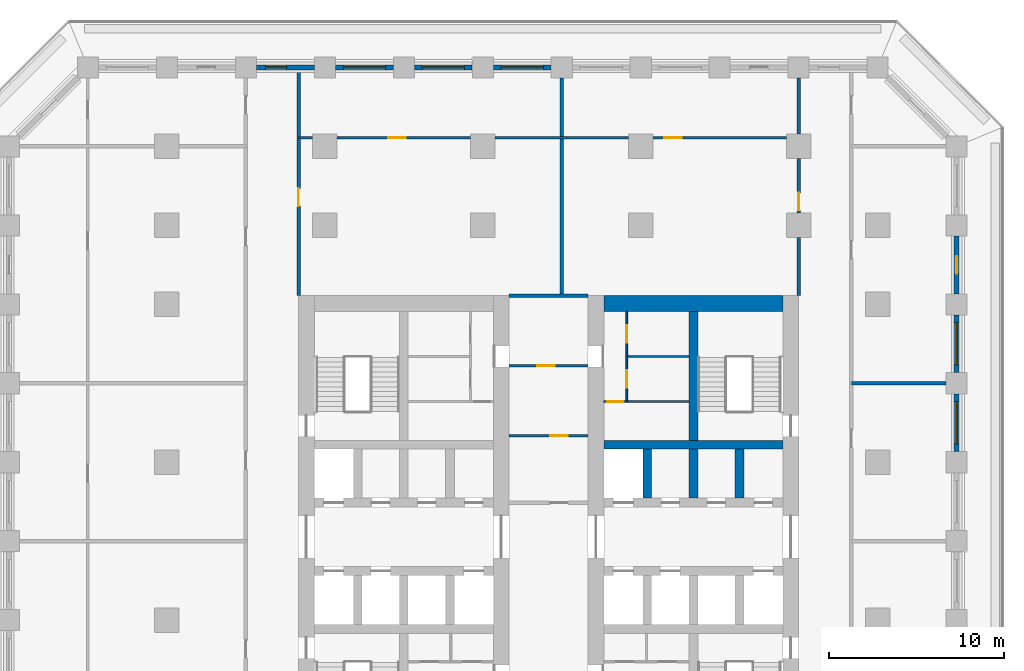
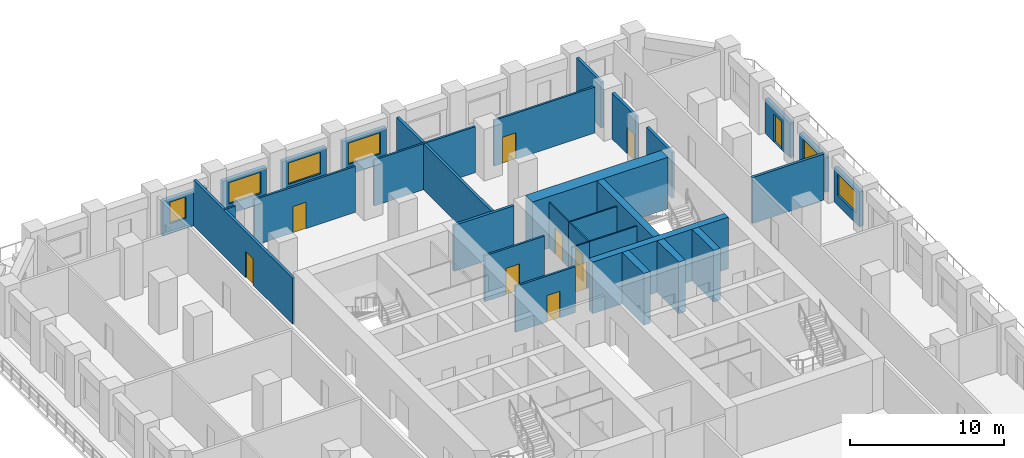
# One storey, part 7 of 16: 31 walls, 10 doors, 6 windows, 16 openings.
"""IFC4 building model written with IfcOpenShell, lengths in metres."""

from ifc_helpers import new_model, si_unit, direction, frame, frame_2d, origin, place, context, subcontext, project, spatial, rectangle, extrude, material, layer, layer_set, type_object, element, fill, save


model = new_model("IFC4")

# Units and contexts
model_context = context("Model", 3, precision=1e-05, world=origin(), true_north=direction((0.0, 1.0)))
body_context = subcontext(model_context, "Body", "Model", "MODEL_VIEW")
ifc_project = project(units=[si_unit("LENGTHUNIT", "METRE"), si_unit("AREAUNIT", "SQUARE_METRE"), si_unit("VOLUMEUNIT", "CUBIC_METRE"), si_unit("PLANEANGLEUNIT", "RADIAN"), si_unit("MASSUNIT", "GRAM", prefix="KILO")], contexts=[model_context])

# Site, building, storey
site_placement = place(None, origin())
site = spatial("IfcSite", under=ifc_project, at=site_placement, CompositionType="ELEMENT")
building_placement = place(site_placement, origin())
building = spatial("IfcBuilding", under=site, at=building_placement, Name="Corbel Stack Research Tower", CompositionType="ELEMENT")
storey_placement = place(building_placement, frame((0.0, 0.0, 137.199951171875)))
storey = spatial("IfcBuildingStorey", under=building, at=storey_placement, Name="L31", CompositionType="ELEMENT", Elevation=137.199951171875)

# Walls
ifc_material_1 = material(Name="Concrete C70/85", Category="concrete")
ifc_layer_1 = layer(ifc_material_1, 0.5)
ifc_layer_set_1 = layer_set([ifc_layer_1], Name="Concrete C70/85")
wall_type_1 = type_object("IfcWallType", Name="CW-500-70", PredefinedType="SHEAR", material=ifc_layer_set_1)
wall_1_placement = place(storey_placement, frame((6.89990234375, 10.0, 0.0), z_axis=(0.0, 0.0, 1.0), x_axis=(1.0, 0.0, 0.0)))
element("IfcWall", 1, at=wall_1_placement, inside=storey, type_object=wall_type_1, Name="East core wall, north row back L31", PredefinedType="SHEAR", context=body_context, shape_type="SweptSolid", body=[
    extrude(rectangle(XDim=10.2001953125, YDim=0.5, at=frame_2d((5.10009765625, 0.0))), origin(), (0.0, 0.0, 1.0), 4.10009765625),
])
for number, where, z_axis, x_axis, name in (
    (2, (9.375, 6.949951171875, 0.0), (0.0, 0.0, 1.0), (0.0, 1.0, 0.0), "East core wall, north shaft 1 L31"),
    (3, (12.0, 6.949951171875, 0.0), (0.0, 0.0, 1.0), (0.0, 1.0, 0.0), "East core wall, north shaft 2 L31"),
    (4, (14.625, 6.949951171875, 0.0), (0.0, 0.0, 1.0), (0.0, 1.0, 0.0), "East core wall, north shaft 3 L31"),
):
    element("IfcWall", number, at=place(storey_placement, frame(where, z_axis=z_axis, x_axis=x_axis)), inside=storey, type_object=wall_type_1, Name=name, PredefinedType="SHEAR", context=body_context, shape_type="SweptSolid", body=[
        extrude(rectangle(XDim=2.800048828125, YDim=0.5, at=frame_2d((1.39990234375, 0.0))), origin(), (0.0, 0.0, 1.0), 4.10009765625),
    ])
wall_2_placement = place(storey_placement, frame((12.0, 10.25, 0.0), z_axis=(0.0, 0.0, 1.0), x_axis=(0.0, 1.0, 0.0)))
element("IfcWall", 5, at=wall_2_placement, inside=storey, type_object=wall_type_1, Name="East core wall, north stair and riser L31", PredefinedType="SHEAR", context=body_context, shape_type="SweptSolid", body=[
    extrude(rectangle(XDim=7.35009765625, YDim=0.5, at=frame_2d((3.675048828125, 0.0))), origin(), (0.0, 0.0, 1.0), 4.10009765625),
])
ifc_material_2 = material(Name="Concrete C70/85", Category="concrete")
ifc_layer_2 = layer(ifc_material_2, 0.89990234375)
ifc_layer_set_2 = layer_set([ifc_layer_2], Name="Concrete C70/85")
wall_type_2 = type_object("IfcWallType", Name="CW-900-70", PredefinedType="SHEAR", material=ifc_layer_set_2)
wall_3_placement = place(storey_placement, frame((6.89990234375, 18.050048828125, 0.0), z_axis=(0.0, 0.0, 1.0), x_axis=(1.0, 0.0, 0.0)))
element("IfcWall", 6, at=wall_3_placement, inside=storey, type_object=wall_type_2, Name="East core wall, north end L31", PredefinedType="SHEAR", context=body_context, shape_type="SweptSolid", body=[
    extrude(rectangle(XDim=10.2001953125, YDim=0.89990234375, at=frame_2d((5.10009765625, 0.0))), origin(), (0.0, 0.0, 1.0), 4.10009765625),
])

# Wall, opening, door
ifc_material_3 = material(Name="Gypsum board")
ifc_layer_3 = layer(ifc_material_3, 0.10009765625)
ifc_layer_set_3 = layer_set([ifc_layer_3], Name="Gypsum board")
wall_type_3 = type_object("IfcWallType", Name="Core partition 100", PredefinedType="PARTITIONING", material=ifc_layer_set_3)
wall_4_placement = place(storey_placement, frame((6.89990234375, 12.455078125, 0.0), z_axis=(0.0, 0.0, 1.0), x_axis=(1.0, 0.0, 0.0)))
wall_4 = element("IfcWall", 7, at=wall_4_placement, inside=storey, type_object=wall_type_3, Name="Core partition E", PredefinedType="PARTITIONING", context=body_context, shape_type="SweptSolid", body=[
    extrude(rectangle(XDim=1.300048828125, YDim=0.10009765625, at=frame_2d((0.64990234375, 0.0))), origin(), (0.0, 0.0, 1.0), 3.650146484375),
])
opening_1_placement = place(wall_4_placement, frame((0.199951171875, 0.0, 0.0)))
opening_1 = element("IfcOpeningElement", 8, at=opening_1_placement, cuts=wall_4, Name="Opening CR-E54-R1-900", PredefinedType="OPENING", context=body_context, shape_type="SweptSolid", body=[
    extrude(rectangle(XDim=0.89990234375, YDim=2.10009765625, at=frame_2d((0.449951171875, 1.050048828125))), frame((0.0, 0.06005859375, 0.0), z_axis=(0.0, -1.0, 0.0), x_axis=(1.0, 0.0, 0.0)), (0.0, 0.0, 1.0), 0.1201171875),
])
ifc_material_4 = material(Name="Painted steel door", Category="steel")
door_type_1 = type_object("IfcDoorType", Name="Riser door 900 x 2100 FD60 right hand", OperationType="SINGLE_SWING_RIGHT", PredefinedType="DOOR", material=ifc_material_4)
door_1_placement = place(opening_1_placement, origin())
door_1 = element("IfcDoor", 9, at=door_1_placement, inside=storey, type_object=door_type_1, Name="Electrical riser door E core", OperationType="SINGLE_SWING_RIGHT", OverallHeight=2.10009765625, OverallWidth=0.89990234375, PredefinedType="DOOR", context=body_context, shape_type="SweptSolid", body=[
    extrude(rectangle(XDim=0.89990234375, YDim=2.10009765625, at=frame_2d((0.449951171875, 1.050048828125))), frame((0.0, 0.02490234375, 0.0), z_axis=(0.0, -1.0, 0.0), x_axis=(1.0, 0.0, 0.0)), (0.0, 0.0, 1.0), 0.050048828125),
])
fill(opening_1, door_1)

# Wall
wall_5_placement = place(storey_placement, frame((8.199951171875, 12.455078125, 0.0), z_axis=(0.0, 0.0, 1.0), x_axis=(1.0, 0.0, 0.0)))
element("IfcWall", 10, at=wall_5_placement, inside=storey, type_object=wall_type_3, Name="Core partition E", PredefinedType="PARTITIONING", context=body_context, shape_type="SweptSolid", body=[
    extrude(rectangle(XDim=3.550048828125, YDim=0.10009765625, at=frame_2d((1.77490234375, 0.0))), origin(), (0.0, 0.0, 1.0), 3.650146484375),
])

# Wall, opening, door
wall_6_placement = place(storey_placement, frame((8.199951171875, 12.455078125, 0.0), z_axis=(0.0, 0.0, 1.0), x_axis=(0.0, 1.0, 0.0)))
wall_6 = element("IfcWall", 11, at=wall_6_placement, inside=storey, type_object=wall_type_3, Name="Core partition E", PredefinedType="PARTITIONING", context=body_context, shape_type="SweptSolid", body=[
    extrude(rectangle(XDim=2.572509765625, YDim=0.10009765625, at=frame_2d((1.2861328125, 0.0))), origin(), (0.0, 0.0, 1.0), 3.650146484375),
])
opening_2_placement = place(wall_6_placement, frame((0.786376953125, 0.0, 0.0)))
opening_2 = element("IfcOpeningElement", 12, at=opening_2_placement, cuts=wall_6, Name="Opening CR-E54-R3-1000", PredefinedType="OPENING", context=body_context, shape_type="SweptSolid", body=[
    extrude(rectangle(XDim=1.0, YDim=2.10009765625, at=frame_2d((0.5, 1.050048828125))), frame((0.0, 0.06005859375, 0.0), z_axis=(0.0, -1.0, 0.0), x_axis=(1.0, 0.0, 0.0)), (0.0, 0.0, 1.0), 0.1201171875),
])
ifc_material_5 = material(Name="Painted steel door", Category="steel")
door_type_2 = type_object("IfcDoorType", Name="Service door 1000 x 2100 FD30 right hand", OperationType="SINGLE_SWING_RIGHT", PredefinedType="DOOR", material=ifc_material_5)
door_2_placement = place(opening_2_placement, origin())
door_2 = element("IfcDoor", 13, at=door_2_placement, inside=storey, type_object=door_type_2, Name="Pantry door E core", OperationType="SINGLE_SWING_RIGHT", OverallHeight=2.10009765625, OverallWidth=1.0, PredefinedType="DOOR", context=body_context, shape_type="SweptSolid", body=[
    extrude(rectangle(XDim=1.0, YDim=2.10009765625, at=frame_2d((0.5, 1.050048828125))), frame((0.0, 0.02490234375, 0.0), z_axis=(0.0, -1.0, 0.0), x_axis=(1.0, 0.0, 0.0)), (0.0, 0.0, 1.0), 0.050048828125),
])
fill(opening_2, door_2)

wall_7_placement = place(storey_placement, frame((8.199951171875, 15.027587890625, 0.0), z_axis=(0.0, 0.0, 1.0), x_axis=(0.0, 1.0, 0.0)))
wall_7 = element("IfcWall", 14, at=wall_7_placement, inside=storey, type_object=wall_type_3, Name="Core partition E", PredefinedType="PARTITIONING", context=body_context, shape_type="SweptSolid", body=[
    extrude(rectangle(XDim=2.572509765625, YDim=0.10009765625, at=frame_2d((1.2861328125, 0.0))), origin(), (0.0, 0.0, 1.0), 3.650146484375),
])
opening_3_placement = place(wall_7_placement, frame((0.7861328125, 0.0, 0.0)))
opening_3 = element("IfcOpeningElement", 15, at=opening_3_placement, cuts=wall_7, Name="Opening CR-E54-R4-1000", PredefinedType="OPENING", context=body_context, shape_type="SweptSolid", body=[
    extrude(rectangle(XDim=1.0, YDim=2.10009765625, at=frame_2d((0.5, 1.050048828125))), frame((0.0, 0.06005859375, 0.0), z_axis=(0.0, -1.0, 0.0), x_axis=(1.0, 0.0, 0.0)), (0.0, 0.0, 1.0), 0.1201171875),
])
ifc_material_6 = material(Name="Painted steel door", Category="steel")
door_type_3 = type_object("IfcDoorType", Name="Service door 1000 x 2100 FD30 left hand", OperationType="SINGLE_SWING_LEFT", PredefinedType="DOOR", material=ifc_material_6)
door_3_placement = place(opening_3_placement, origin())
door_3 = element("IfcDoor", 16, at=door_3_placement, inside=storey, type_object=door_type_3, Name="Copy and supply store door E core", OperationType="SINGLE_SWING_LEFT", OverallHeight=2.10009765625, OverallWidth=1.0, PredefinedType="DOOR", context=body_context, shape_type="SweptSolid", body=[
    extrude(rectangle(XDim=1.0, YDim=2.10009765625, at=frame_2d((0.5, 1.050048828125))), frame((0.0, 0.02490234375, 0.0), z_axis=(0.0, -1.0, 0.0), x_axis=(1.0, 0.0, 0.0)), (0.0, 0.0, 1.0), 0.050048828125),
])
fill(opening_3, door_3)

# Wall
wall_8_placement = place(storey_placement, frame((8.199951171875, 15.027587890625, 0.0), z_axis=(0.0, 0.0, 1.0), x_axis=(1.0, 0.0, 0.0)))
element("IfcWall", 17, at=wall_8_placement, inside=storey, type_object=wall_type_3, Name="Core partition E", PredefinedType="PARTITIONING", context=body_context, shape_type="SweptSolid", body=[
    extrude(rectangle(XDim=3.550048828125, YDim=0.10009765625, at=frame_2d((1.77490234375, 0.0))), origin(), (0.0, 0.0, 1.0), 3.650146484375),
])

# Wall, opening, door
ifc_material_7 = material(Name="Fire-rated gypsum board partition on steel studs", Category="steel")
ifc_layer_4 = layer(ifc_material_7, 0.199951171875)
ifc_layer_set_4 = layer_set([ifc_layer_4], Name="Fire-rated gypsum board partition on steel studs")
wall_type_4 = type_object("IfcWallType", Name="Fire-rated partition 200 EI 60", PredefinedType="PARTITIONING", material=ifc_layer_set_4)
wall_9_placement = place(storey_placement, frame((-10.5, 31.35009765625, 0.0), z_axis=(0.0, 0.0, 1.0), x_axis=(0.0, -1.0, 0.0)))
wall_9 = element("IfcWall", 18, at=wall_9_placement, inside=storey, type_object=wall_type_4, Name="Partition L31-004", PredefinedType="PARTITIONING", context=body_context, shape_type="SweptSolid", body=[
    extrude(rectangle(XDim=12.85009765625, YDim=0.199951171875, at=frame_2d((6.425048828125, 0.0))), origin(), (0.0, 0.0, 1.0), 3.650146484375),
])
opening_4_placement = place(wall_9_placement, frame((6.75, 0.0, 0.0)))
opening_4 = element("IfcOpeningElement", 19, at=opening_4_placement, cuts=wall_9, Name="Opening B4V2-014", PredefinedType="OPENING", context=body_context, shape_type="SweptSolid", body=[
    extrude(rectangle(XDim=1.0, YDim=2.10009765625, at=frame_2d((0.5, 1.050048828125))), frame((0.0, 0.10986328125, 0.0), z_axis=(0.0, -1.0, 0.0), x_axis=(1.0, 0.0, 0.0)), (0.0, 0.0, 1.0), 0.219970703125),
])
ifc_material_8 = material(Name="Painted steel fire door", Category="steel")
door_type_4 = type_object("IfcDoorType", Name="Fire door FD30S 1000 x 2100", OperationType="NOTDEFINED", PredefinedType="DOOR", material=ifc_material_8)
door_4_placement = place(opening_4_placement, origin())
door_4 = element("IfcDoor", 20, at=door_4_placement, inside=storey, type_object=door_type_4, Name="Door B4V2-014", OperationType="SINGLE_SWING_RIGHT", OverallHeight=2.10009765625, OverallWidth=1.0, PredefinedType="DOOR", context=body_context, shape_type="SweptSolid", body=[
    extrude(rectangle(XDim=1.0, YDim=2.10009765625, at=frame_2d((0.5, 1.050048828125))), frame((0.0, 0.02490234375, 0.0), z_axis=(0.0, -1.0, 0.0), x_axis=(1.0, 0.0, 0.0)), (0.0, 0.0, 1.0), 0.050048828125),
])
fill(opening_4, door_4)

# Walls
wall_10_placement = place(storey_placement, frame((4.5, 18.5, 0.0), z_axis=(0.0, 0.0, 1.0), x_axis=(0.0, 1.0, 0.0)))
element("IfcWall", 21, at=wall_10_placement, inside=storey, type_object=wall_type_4, Name="Partition L31-006", PredefinedType="PARTITIONING", context=body_context, shape_type="SweptSolid", body=[
    extrude(rectangle(XDim=12.39990234375, YDim=0.199951171875, at=frame_2d((6.199951171875, 0.0))), origin(), (0.0, 0.0, 1.0), 3.650146484375),
])
wall_11_placement = place(storey_placement, frame((18.0, 18.5, 0.0), z_axis=(0.0, 0.0, 1.0), x_axis=(0.0, 1.0, 0.0)))
element("IfcWall", 22, at=wall_11_placement, inside=storey, type_object=wall_type_4, Name="Partition L31-009", PredefinedType="PARTITIONING", context=body_context, shape_type="SweptSolid", body=[
    extrude(rectangle(XDim=3.300048828125, YDim=0.199951171875, at=frame_2d((1.64990234375, 0.0))), origin(), (0.0, 0.0, 1.0), 3.650146484375),
])

# Wall, opening, door
wall_12_placement = place(storey_placement, frame((18.0, 23.199951171875, 0.0), z_axis=(0.0, 0.0, 1.0), x_axis=(0.0, 1.0, 0.0)))
wall_12 = element("IfcWall", 23, at=wall_12_placement, inside=storey, type_object=wall_type_4, Name="Partition L31-010", PredefinedType="PARTITIONING", context=body_context, shape_type="SweptSolid", body=[
    extrude(rectangle(XDim=3.10009765625, YDim=0.199951171875, at=frame_2d((1.550048828125, 0.0))), origin(), (0.0, 0.0, 1.0), 3.650146484375),
])
opening_5_placement = place(wall_12_placement, frame((0.14990234375, 0.0, 0.0)))
opening_5 = element("IfcOpeningElement", 24, at=opening_5_placement, cuts=wall_12, Name="Opening B4V2-020", PredefinedType="OPENING", context=body_context, shape_type="SweptSolid", body=[
    extrude(rectangle(XDim=1.0, YDim=2.10009765625, at=frame_2d((0.5, 1.050048828125))), frame((0.0, 0.10986328125, 0.0), z_axis=(0.0, -1.0, 0.0), x_axis=(1.0, 0.0, 0.0)), (0.0, 0.0, 1.0), 0.219970703125),
])
door_5_placement = place(opening_5_placement, origin())
door_5 = element("IfcDoor", 25, at=door_5_placement, inside=storey, type_object=door_type_4, Name="Door B4V2-020", OperationType="SINGLE_SWING_LEFT", OverallHeight=2.10009765625, OverallWidth=1.0, PredefinedType="DOOR", context=body_context, shape_type="SweptSolid", body=[
    extrude(rectangle(XDim=1.0, YDim=2.10009765625, at=frame_2d((0.5, 1.050048828125))), frame((0.0, 0.02490234375, 0.0), z_axis=(0.0, -1.0, 0.0), x_axis=(1.0, 0.0, 0.0)), (0.0, 0.0, 1.0), 0.050048828125),
])
fill(opening_5, door_5)

# Walls
wall_13_placement = place(storey_placement, frame((18.0, 27.699951171875, 0.0), z_axis=(0.0, 0.0, 1.0), x_axis=(0.0, 1.0, 0.0)))
element("IfcWall", 26, at=wall_13_placement, inside=storey, type_object=wall_type_4, Name="Partition L31-011", PredefinedType="PARTITIONING", context=body_context, shape_type="SweptSolid", body=[
    extrude(rectangle(XDim=3.199951171875, YDim=0.199951171875, at=frame_2d((1.60009765625, 0.0))), origin(), (0.0, 0.0, 1.0), 3.650146484375),
])
wall_14_placement = place(storey_placement, frame((21.0, 13.5, 0.0), z_axis=(0.0, 0.0, 1.0), x_axis=(1.0, 0.0, 0.0)))
element("IfcWall", 27, at=wall_14_placement, inside=storey, type_object=wall_type_4, Name="Partition L31-028", PredefinedType="PARTITIONING", context=body_context, shape_type="SweptSolid", body=[
    extrude(rectangle(XDim=5.39990234375, YDim=0.199951171875, at=frame_2d((2.699951171875, 0.0))), origin(), (0.0, 0.0, 1.0), 3.650146484375),
])
wall_15_placement = place(storey_placement, frame((1.5, 18.5, 0.0), z_axis=(0.0, 0.0, 1.0), x_axis=(1.0, 0.0, 0.0)))
element("IfcWall", 28, at=wall_15_placement, inside=storey, type_object=wall_type_4, Name="Partition L31-030", PredefinedType="PARTITIONING", context=body_context, shape_type="SweptSolid", body=[
    extrude(rectangle(XDim=4.5, YDim=0.199951171875, at=frame_2d((2.25, 0.0))), origin(), (0.0, 0.0, 1.0), 3.650146484375),
])

# Wall, opening, door
ifc_material_9 = material(Name="Gypsum board partition on steel studs", Category="steel")
ifc_layer_5 = layer(ifc_material_9, 0.14990234375)
ifc_layer_set_5 = layer_set([ifc_layer_5], Name="Gypsum board partition on steel studs")
wall_type_5 = type_object("IfcWallType", Name="Partition 150", PredefinedType="PARTITIONING", material=ifc_layer_set_5)
wall_16_placement = place(storey_placement, frame((1.5, 10.5, 0.0), z_axis=(0.0, 0.0, 1.0), x_axis=(1.0, 0.0, 0.0)))
wall_16 = element("IfcWall", 29, at=wall_16_placement, inside=storey, type_object=wall_type_5, Name="Partition L31-026", PredefinedType="PARTITIONING", context=body_context, shape_type="SweptSolid", body=[
    extrude(rectangle(XDim=4.5, YDim=0.14990234375, at=frame_2d((2.25, 0.0))), origin(), (0.0, 0.0, 1.0), 3.650146484375),
])
opening_6_placement = place(wall_16_placement, frame((2.35009765625, 0.0, 0.0)))
opening_6 = element("IfcOpeningElement", 30, at=opening_6_placement, cuts=wall_16, Name="Opening B4V2-017", PredefinedType="OPENING", context=body_context, shape_type="SweptSolid", body=[
    extrude(rectangle(XDim=1.0, YDim=2.10009765625, at=frame_2d((0.5, 1.050048828125))), frame((0.0, 0.0849609375, 0.0), z_axis=(0.0, -1.0, 0.0), x_axis=(1.0, 0.0, 0.0)), (0.0, 0.0, 1.0), 0.169921875),
])
ifc_material_10 = material(Name="Painted timber door", Category="wood")
door_type_5 = type_object("IfcDoorType", Name="Single door 1000 x 2100", OperationType="NOTDEFINED", PredefinedType="DOOR", material=ifc_material_10)
door_6_placement = place(opening_6_placement, origin())
door_6 = element("IfcDoor", 31, at=door_6_placement, inside=storey, type_object=door_type_5, Name="Door B4V2-017", OperationType="SINGLE_SWING_RIGHT", OverallHeight=2.10009765625, OverallWidth=1.0, PredefinedType="DOOR", context=body_context, shape_type="SweptSolid", body=[
    extrude(rectangle(XDim=1.0, YDim=2.10009765625, at=frame_2d((0.5, 1.050048828125))), frame((0.0, 0.02490234375, 0.0), z_axis=(0.0, -1.0, 0.0), x_axis=(1.0, 0.0, 0.0)), (0.0, 0.0, 1.0), 0.050048828125),
])
fill(opening_6, door_6)

wall_17_placement = place(storey_placement, frame((1.5, 14.5, 0.0), z_axis=(0.0, 0.0, 1.0), x_axis=(1.0, 0.0, 0.0)))
wall_17 = element("IfcWall", 32, at=wall_17_placement, inside=storey, type_object=wall_type_5, Name="Partition L31-029", PredefinedType="PARTITIONING", context=body_context, shape_type="SweptSolid", body=[
    extrude(rectangle(XDim=4.5, YDim=0.14990234375, at=frame_2d((2.25, 0.0))), origin(), (0.0, 0.0, 1.0), 3.650146484375),
])
opening_7_placement = place(wall_17_placement, frame((1.60009765625, 0.0, 0.0)))
opening_7 = element("IfcOpeningElement", 33, at=opening_7_placement, cuts=wall_17, Name="Opening B4V2-018", PredefinedType="OPENING", context=body_context, shape_type="SweptSolid", body=[
    extrude(rectangle(XDim=1.0, YDim=2.10009765625, at=frame_2d((0.5, 1.050048828125))), frame((0.0, 0.0849609375, 0.0), z_axis=(0.0, -1.0, 0.0), x_axis=(1.0, 0.0, 0.0)), (0.0, 0.0, 1.0), 0.169921875),
])
door_7_placement = place(opening_7_placement, origin())
door_7 = element("IfcDoor", 34, at=door_7_placement, inside=storey, type_object=door_type_5, Name="Door B4V2-018", OperationType="SINGLE_SWING_LEFT", OverallHeight=2.10009765625, OverallWidth=1.0, PredefinedType="DOOR", context=body_context, shape_type="SweptSolid", body=[
    extrude(rectangle(XDim=1.0, YDim=2.10009765625, at=frame_2d((0.5, 1.050048828125))), frame((0.0, 0.02490234375, 0.0), z_axis=(0.0, -1.0, 0.0), x_axis=(1.0, 0.0, 0.0)), (0.0, 0.0, 1.0), 0.050048828125),
])
fill(opening_7, door_7)

# Wall
wall_18_placement = place(storey_placement, frame((-10.5, 27.5, 0.0), z_axis=(0.0, 0.0, 1.0), x_axis=(1.0, 0.0, 0.0)))
element("IfcWall", 35, at=wall_18_placement, inside=storey, type_object=wall_type_5, Name="Partition L31-034", PredefinedType="PARTITIONING", context=body_context, shape_type="SweptSolid", body=[
    extrude(rectangle(XDim=0.800048828125, YDim=0.14990234375, at=frame_2d((0.39990234375, 0.0))), origin(), (0.0, 0.0, 1.0), 3.650146484375),
])

# Wall, opening, door
wall_19_placement = place(storey_placement, frame((-8.300048828125, 27.5, 0.0), z_axis=(0.0, 0.0, 1.0), x_axis=(1.0, 0.0, 0.0)))
wall_19 = element("IfcWall", 36, at=wall_19_placement, inside=storey, type_object=wall_type_5, Name="Partition L31-035", PredefinedType="PARTITIONING", context=body_context, shape_type="SweptSolid", body=[
    extrude(rectangle(XDim=7.60009765625, YDim=0.14990234375, at=frame_2d((3.800048828125, 0.0))), origin(), (0.0, 0.0, 1.0), 3.650146484375),
])
opening_8_placement = place(wall_19_placement, frame((2.89990234375, 0.0, 0.0)))
opening_8 = element("IfcOpeningElement", 37, at=opening_8_placement, cuts=wall_19, Name="Opening B4V2-026", PredefinedType="OPENING", context=body_context, shape_type="SweptSolid", body=[
    extrude(rectangle(XDim=1.0, YDim=2.10009765625, at=frame_2d((0.5, 1.050048828125))), frame((0.0, 0.0849609375, 0.0), z_axis=(0.0, -1.0, 0.0), x_axis=(1.0, 0.0, 0.0)), (0.0, 0.0, 1.0), 0.169921875),
])
door_8_placement = place(opening_8_placement, origin())
door_8 = element("IfcDoor", 38, at=door_8_placement, inside=storey, type_object=door_type_5, Name="Door B4V2-026", OperationType="SINGLE_SWING_LEFT", OverallHeight=2.10009765625, OverallWidth=1.0, PredefinedType="DOOR", context=body_context, shape_type="SweptSolid", body=[
    extrude(rectangle(XDim=1.0, YDim=2.10009765625, at=frame_2d((0.5, 1.050048828125))), frame((0.0, 0.02490234375, 0.0), z_axis=(0.0, -1.0, 0.0), x_axis=(1.0, 0.0, 0.0)), (0.0, 0.0, 1.0), 0.050048828125),
])
fill(opening_8, door_8)

# Wall
wall_20_placement = place(storey_placement, frame((0.699951171875, 27.5, 0.0), z_axis=(0.0, 0.0, 1.0), x_axis=(1.0, 0.0, 0.0)))
element("IfcWall", 39, at=wall_20_placement, inside=storey, type_object=wall_type_5, Name="Partition L31-036", PredefinedType="PARTITIONING", context=body_context, shape_type="SweptSolid", body=[
    extrude(rectangle(XDim=7.60009765625, YDim=0.14990234375, at=frame_2d((3.800048828125, 0.0))), origin(), (0.0, 0.0, 1.0), 3.650146484375),
])

# Wall, opening, door
wall_21_placement = place(storey_placement, frame((9.699951171875, 27.5, 0.0), z_axis=(0.0, 0.0, 1.0), x_axis=(1.0, 0.0, 0.0)))
wall_21 = element("IfcWall", 40, at=wall_21_placement, inside=storey, type_object=wall_type_5, Name="Partition L31-037", PredefinedType="PARTITIONING", context=body_context, shape_type="SweptSolid", body=[
    extrude(rectangle(XDim=7.60009765625, YDim=0.14990234375, at=frame_2d((3.800048828125, 0.0))), origin(), (0.0, 0.0, 1.0), 3.650146484375),
])
opening_9_placement = place(wall_21_placement, frame((0.64990234375, 0.0, 0.0)))
opening_9 = element("IfcOpeningElement", 41, at=opening_9_placement, cuts=wall_21, Name="Opening B4V2-027", PredefinedType="OPENING", context=body_context, shape_type="SweptSolid", body=[
    extrude(rectangle(XDim=1.0, YDim=2.10009765625, at=frame_2d((0.5, 1.050048828125))), frame((0.0, 0.0849609375, 0.0), z_axis=(0.0, -1.0, 0.0), x_axis=(1.0, 0.0, 0.0)), (0.0, 0.0, 1.0), 0.169921875),
])
door_9_placement = place(opening_9_placement, origin())
door_9 = element("IfcDoor", 42, at=door_9_placement, inside=storey, type_object=door_type_5, Name="Door B4V2-027", OperationType="SINGLE_SWING_LEFT", OverallHeight=2.10009765625, OverallWidth=1.0, PredefinedType="DOOR", context=body_context, shape_type="SweptSolid", body=[
    extrude(rectangle(XDim=1.0, YDim=2.10009765625, at=frame_2d((0.5, 1.050048828125))), frame((0.0, 0.02490234375, 0.0), z_axis=(0.0, -1.0, 0.0), x_axis=(1.0, 0.0, 0.0)), (0.0, 0.0, 1.0), 0.050048828125),
])
fill(opening_9, door_9)

# Wall, opening, window
ifc_material_11 = material(Name="Concrete C45/55", Category="concrete")
ifc_layer_6 = layer(ifc_material_11, 0.300048828125)
ifc_layer_set_6 = layer_set([ifc_layer_6], Name="Concrete C45/55")
wall_type_6 = type_object("IfcWallType", Name="Terracotta-faced concrete wall 300", PredefinedType="SOLIDWALL", material=ifc_layer_set_6)
wall_22_placement = place(storey_placement, frame((27.0, 12.89990234375, 0.0), z_axis=(0.0, 0.0, 1.0), x_axis=(0.0, -1.0, 0.0)))
wall_22 = element("IfcWall", 43, at=wall_22_placement, inside=storey, type_object=wall_type_6, Name="Facade wall L31 E07", PredefinedType="SOLIDWALL", context=body_context, shape_type="SweptSolid", body=[
    extrude(rectangle(XDim=3.2998046875, YDim=0.300048828125, at=frame_2d((1.64990234375, 0.0))), origin(), (0.0, 0.0, 1.0), 2.75),
])
opening_10_placement = place(wall_22_placement, frame((0.449951171875, 0.0, 0.800048828125)))
opening_10 = element("IfcOpeningElement", 44, at=opening_10_placement, cuts=wall_22, Name="Opening W1", PredefinedType="OPENING", context=body_context, shape_type="SweptSolid", body=[
    extrude(rectangle(XDim=2.39990234375, YDim=1.699951171875, at=frame_2d((1.199951171875, 0.85009765625))), frame((0.0, 0.159912109375, 0.0), z_axis=(0.0, -1.0, 0.0), x_axis=(1.0, 0.0, 0.0)), (0.0, 0.0, 1.0), 0.320068359375),
])
ifc_material_12 = material(Name="Aluminium frame, clear double glazing", Category="aluminium")
window_type_1 = type_object("IfcWindowType", Name="Window W1 2400 x 1700", PartitioningType="SINGLE_PANEL", PredefinedType="WINDOW", material=ifc_material_12)
window_1_placement = place(opening_10_placement, origin())
window_1 = element("IfcWindow", 45, at=window_1_placement, inside=storey, type_object=window_type_1, Name="Window W1 L31 E07", OverallHeight=1.699951171875, OverallWidth=2.39990234375, PartitioningType="SINGLE_PANEL", PredefinedType="WINDOW", context=body_context, shape_type="SweptSolid", body=[
    extrude(rectangle(XDim=2.39990234375, YDim=1.699951171875, at=frame_2d((1.199951171875, 0.85009765625))), frame((0.0, 0.030029296875, 0.0), z_axis=(0.0, -1.0, 0.0), x_axis=(1.0, 0.0, 0.0)), (0.0, 0.0, 1.0), 0.06005859375),
])
fill(opening_10, window_1)

wall_23_placement = place(storey_placement, frame((27.0, 17.39990234375, 0.0), z_axis=(0.0, 0.0, 1.0), x_axis=(0.0, -1.0, 0.0)))
wall_23 = element("IfcWall", 46, at=wall_23_placement, inside=storey, type_object=wall_type_6, Name="Facade wall L31 E08", PredefinedType="SOLIDWALL", context=body_context, shape_type="SweptSolid", body=[
    extrude(rectangle(XDim=3.2998046875, YDim=0.300048828125, at=frame_2d((1.64990234375, 0.0))), origin(), (0.0, 0.0, 1.0), 2.75),
])
opening_11_placement = place(wall_23_placement, frame((0.449951171875, 0.0, 0.800048828125)))
opening_11 = element("IfcOpeningElement", 47, at=opening_11_placement, cuts=wall_23, Name="Opening W1", PredefinedType="OPENING", context=body_context, shape_type="SweptSolid", body=[
    extrude(rectangle(XDim=2.39990234375, YDim=1.699951171875, at=frame_2d((1.199951171875, 0.85009765625))), frame((0.0, 0.159912109375, 0.0), z_axis=(0.0, -1.0, 0.0), x_axis=(1.0, 0.0, 0.0)), (0.0, 0.0, 1.0), 0.320068359375),
])
window_2_placement = place(opening_11_placement, origin())
window_2 = element("IfcWindow", 48, at=window_2_placement, inside=storey, type_object=window_type_1, Name="Window W1 L31 E08", OverallHeight=1.699951171875, OverallWidth=2.39990234375, PartitioningType="SINGLE_PANEL", PredefinedType="WINDOW", context=body_context, shape_type="SweptSolid", body=[
    extrude(rectangle(XDim=2.39990234375, YDim=1.699951171875, at=frame_2d((1.199951171875, 0.85009765625))), frame((0.0, 0.030029296875, 0.0), z_axis=(0.0, -1.0, 0.0), x_axis=(1.0, 0.0, 0.0)), (0.0, 0.0, 1.0), 0.06005859375),
])
fill(opening_11, window_2)

# Wall, opening, door
wall_24_placement = place(storey_placement, frame((27.0, 21.89990234375, 0.0), z_axis=(0.0, 0.0, 1.0), x_axis=(0.0, -1.0, 0.0)))
wall_24 = element("IfcWall", 49, at=wall_24_placement, inside=storey, type_object=wall_type_6, Name="Facade wall L31 E09", PredefinedType="SOLIDWALL", context=body_context, shape_type="SweptSolid", body=[
    extrude(rectangle(XDim=3.2998046875, YDim=0.300048828125, at=frame_2d((1.64990234375, 0.0))), origin(), (0.0, 0.0, 1.0), 2.75),
])
opening_12_placement = place(wall_24_placement, frame((1.14990234375, 0.0, 0.0)))
opening_12 = element("IfcOpeningElement", 50, at=opening_12_placement, cuts=wall_24, Name="Opening L31-B05", PredefinedType="OPENING", context=body_context, shape_type="SweptSolid", body=[
    extrude(rectangle(XDim=1.0, YDim=2.199951171875, at=frame_2d((0.5, 1.10009765625))), frame((0.0, 0.159912109375, 0.0), z_axis=(0.0, -1.0, 0.0), x_axis=(1.0, 0.0, 0.0)), (0.0, 0.0, 1.0), 0.320068359375),
])
ifc_material_13 = material(Name="Aluminium frame, clear double glazing", Category="aluminium")
door_type_6 = type_object("IfcDoorType", Name="Balcony door BD1 1000 x 2200", OperationType="NOTDEFINED", PredefinedType="DOOR", material=ifc_material_13)
door_10_placement = place(opening_12_placement, origin())
door_10 = element("IfcDoor", 51, at=door_10_placement, inside=storey, type_object=door_type_6, Name="Balcony door L31-B05", OperationType="SINGLE_SWING_RIGHT", OverallHeight=2.199951171875, OverallWidth=1.0, PredefinedType="DOOR", context=body_context, shape_type="SweptSolid", body=[
    extrude(rectangle(XDim=1.0, YDim=2.199951171875, at=frame_2d((0.5, 1.10009765625))), frame((0.0, 0.02490234375, 0.0), z_axis=(0.0, -1.0, 0.0), x_axis=(1.0, 0.0, 0.0)), (0.0, 0.0, 1.0), 0.050048828125),
])
fill(opening_12, door_10)

# Wall, opening, window
wall_25_placement = place(storey_placement, frame((0.60009765625, 31.5, 0.0), z_axis=(0.0, 0.0, 1.0), x_axis=(1.0, 0.0, 0.0)))
wall_25 = element("IfcWall", 52, at=wall_25_placement, inside=storey, type_object=wall_type_6, Name="Facade wall L31 N05", PredefinedType="SOLIDWALL", context=body_context, shape_type="SweptSolid", body=[
    extrude(rectangle(XDim=3.2998046875, YDim=0.300048828125, at=frame_2d((1.64990234375, 0.0))), origin(), (0.0, 0.0, 1.0), 2.75),
])
opening_13_placement = place(wall_25_placement, frame((0.449951171875, 0.0, 0.800048828125)))
opening_13 = element("IfcOpeningElement", 53, at=opening_13_placement, cuts=wall_25, Name="Opening W1", PredefinedType="OPENING", context=body_context, shape_type="SweptSolid", body=[
    extrude(rectangle(XDim=2.39990234375, YDim=1.699951171875, at=frame_2d((1.199951171875, 0.85009765625))), frame((0.0, 0.159912109375, 0.0), z_axis=(0.0, -1.0, 0.0), x_axis=(1.0, 0.0, 0.0)), (0.0, 0.0, 1.0), 0.320068359375),
])
window_3_placement = place(opening_13_placement, origin())
window_3 = element("IfcWindow", 54, at=window_3_placement, inside=storey, type_object=window_type_1, Name="Window W1 L31 N05", OverallHeight=1.699951171875, OverallWidth=2.39990234375, PartitioningType="SINGLE_PANEL", PredefinedType="WINDOW", context=body_context, shape_type="SweptSolid", body=[
    extrude(rectangle(XDim=2.39990234375, YDim=1.699951171875, at=frame_2d((1.199951171875, 0.85009765625))), frame((0.0, 0.030029296875, 0.0), z_axis=(0.0, -1.0, 0.0), x_axis=(1.0, 0.0, 0.0)), (0.0, 0.0, 1.0), 0.06005859375),
])
fill(opening_13, window_3)

wall_26_placement = place(storey_placement, frame((-3.89990234375, 31.5, 0.0), z_axis=(0.0, 0.0, 1.0), x_axis=(1.0, 0.0, 0.0)))
wall_26 = element("IfcWall", 55, at=wall_26_placement, inside=storey, type_object=wall_type_6, Name="Facade wall L31 N06", PredefinedType="SOLIDWALL", context=body_context, shape_type="SweptSolid", body=[
    extrude(rectangle(XDim=3.2998046875, YDim=0.300048828125, at=frame_2d((1.64990234375, 0.0))), origin(), (0.0, 0.0, 1.0), 2.75),
])
opening_14_placement = place(wall_26_placement, frame((0.449951171875, 0.0, 0.800048828125)))
opening_14 = element("IfcOpeningElement", 56, at=opening_14_placement, cuts=wall_26, Name="Opening W1", PredefinedType="OPENING", context=body_context, shape_type="SweptSolid", body=[
    extrude(rectangle(XDim=2.39990234375, YDim=1.699951171875, at=frame_2d((1.199951171875, 0.85009765625))), frame((0.0, 0.159912109375, 0.0), z_axis=(0.0, -1.0, 0.0), x_axis=(1.0, 0.0, 0.0)), (0.0, 0.0, 1.0), 0.320068359375),
])
window_4_placement = place(opening_14_placement, origin())
window_4 = element("IfcWindow", 57, at=window_4_placement, inside=storey, type_object=window_type_1, Name="Window W1 L31 N06", OverallHeight=1.699951171875, OverallWidth=2.39990234375, PartitioningType="SINGLE_PANEL", PredefinedType="WINDOW", context=body_context, shape_type="SweptSolid", body=[
    extrude(rectangle(XDim=2.39990234375, YDim=1.699951171875, at=frame_2d((1.199951171875, 0.85009765625))), frame((0.0, 0.030029296875, 0.0), z_axis=(0.0, -1.0, 0.0), x_axis=(1.0, 0.0, 0.0)), (0.0, 0.0, 1.0), 0.06005859375),
])
fill(opening_14, window_4)

wall_27_placement = place(storey_placement, frame((-8.39990234375, 31.5, 0.0), z_axis=(0.0, 0.0, 1.0), x_axis=(1.0, 0.0, 0.0)))
wall_27 = element("IfcWall", 58, at=wall_27_placement, inside=storey, type_object=wall_type_6, Name="Facade wall L31 N07", PredefinedType="SOLIDWALL", context=body_context, shape_type="SweptSolid", body=[
    extrude(rectangle(XDim=3.2998046875, YDim=0.300048828125, at=frame_2d((1.64990234375, 0.0))), origin(), (0.0, 0.0, 1.0), 2.75),
])
opening_15_placement = place(wall_27_placement, frame((0.449951171875, 0.0, 0.800048828125)))
opening_15 = element("IfcOpeningElement", 59, at=opening_15_placement, cuts=wall_27, Name="Opening W1", PredefinedType="OPENING", context=body_context, shape_type="SweptSolid", body=[
    extrude(rectangle(XDim=2.39990234375, YDim=1.699951171875, at=frame_2d((1.199951171875, 0.85009765625))), frame((0.0, 0.159912109375, 0.0), z_axis=(0.0, -1.0, 0.0), x_axis=(1.0, 0.0, 0.0)), (0.0, 0.0, 1.0), 0.320068359375),
])
window_5_placement = place(opening_15_placement, origin())
window_5 = element("IfcWindow", 60, at=window_5_placement, inside=storey, type_object=window_type_1, Name="Window W1 L31 N07", OverallHeight=1.699951171875, OverallWidth=2.39990234375, PartitioningType="SINGLE_PANEL", PredefinedType="WINDOW", context=body_context, shape_type="SweptSolid", body=[
    extrude(rectangle(XDim=2.39990234375, YDim=1.699951171875, at=frame_2d((1.199951171875, 0.85009765625))), frame((0.0, 0.030029296875, 0.0), z_axis=(0.0, -1.0, 0.0), x_axis=(1.0, 0.0, 0.0)), (0.0, 0.0, 1.0), 0.06005859375),
])
fill(opening_15, window_5)

wall_28_placement = place(storey_placement, frame((-12.89990234375, 31.5, 0.0), z_axis=(0.0, 0.0, 1.0), x_axis=(1.0, 0.0, 0.0)))
wall_28 = element("IfcWall", 61, at=wall_28_placement, inside=storey, type_object=wall_type_6, Name="Facade wall L31 N08", PredefinedType="SOLIDWALL", context=body_context, shape_type="SweptSolid", body=[
    extrude(rectangle(XDim=3.2998046875, YDim=0.300048828125, at=frame_2d((1.64990234375, 0.0))), origin(), (0.0, 0.0, 1.0), 2.75),
])
opening_16_placement = place(wall_28_placement, frame((0.52490234375, 0.0, 0.800048828125)))
opening_16 = element("IfcOpeningElement", 62, at=opening_16_placement, cuts=wall_28, Name="Opening W2", PredefinedType="OPENING", context=body_context, shape_type="SweptSolid", body=[
    extrude(rectangle(XDim=1.199951171875, YDim=1.699951171875, at=frame_2d((0.60009765625, 0.85009765625))), frame((0.0, 0.159912109375, 0.0), z_axis=(0.0, -1.0, 0.0), x_axis=(1.0, 0.0, 0.0)), (0.0, 0.0, 1.0), 0.320068359375),
])
ifc_material_14 = material(Name="Aluminium frame, clear double glazing", Category="aluminium")
window_type_2 = type_object("IfcWindowType", Name="Window W2 1200 x 1700", PartitioningType="SINGLE_PANEL", PredefinedType="WINDOW", material=ifc_material_14)
window_6_placement = place(opening_16_placement, origin())
window_6 = element("IfcWindow", 63, at=window_6_placement, inside=storey, type_object=window_type_2, Name="Window W2 L31 N08", OverallHeight=1.699951171875, OverallWidth=1.199951171875, PartitioningType="SINGLE_PANEL", PredefinedType="WINDOW", context=body_context, shape_type="SweptSolid", body=[
    extrude(rectangle(XDim=1.199951171875, YDim=1.699951171875, at=frame_2d((0.60009765625, 0.85009765625))), frame((0.0, 0.030029296875, 0.0), z_axis=(0.0, -1.0, 0.0), x_axis=(1.0, 0.0, 0.0)), (0.0, 0.0, 1.0), 0.06005859375),
])
fill(opening_16, window_6)

save(model, "model.ifc")
